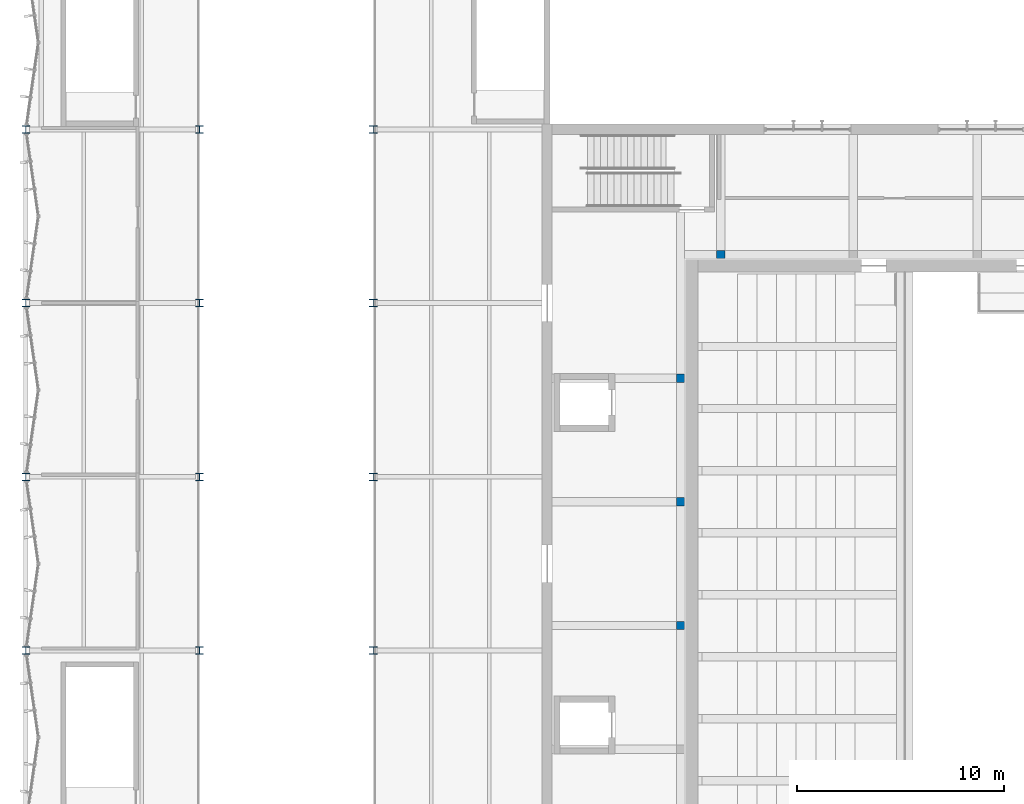
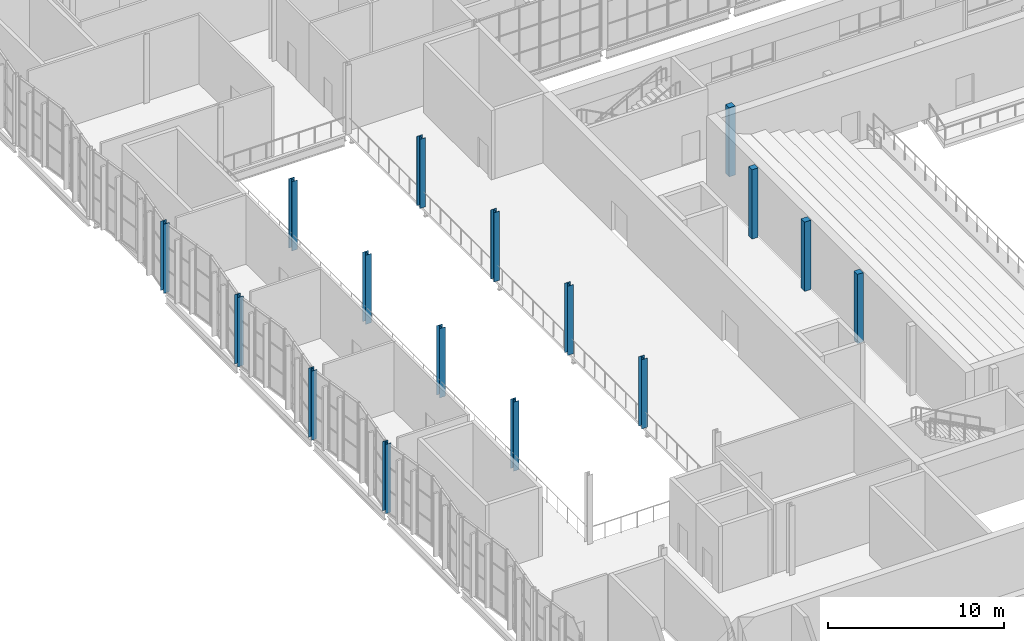
# One storey, part 7 of 116: 16 columns.
"""IFC4 building model written with IfcOpenShell, lengths in metres."""

from ifc_helpers import new_model, si_unit, direction, frame, origin, origin_2d, place, context, subcontext, project, spatial, rectangle, i_section, extrude, material, material_profile, profile_set, type_object, element, save


model = new_model("IFC4")

# Units and contexts
model_context = context("Model", 3, precision=1e-05, world=origin(), true_north=direction((0.0, 1.0)))
body_context = subcontext(model_context, "Body", "Model", "MODEL_VIEW")
ifc_project = project(units=[si_unit("LENGTHUNIT", "METRE"), si_unit("AREAUNIT", "SQUARE_METRE"), si_unit("VOLUMEUNIT", "CUBIC_METRE"), si_unit("PLANEANGLEUNIT", "RADIAN"), si_unit("MASSUNIT", "GRAM", prefix="KILO")], contexts=[model_context])

# Site, building, storey
site_placement = place(None, origin())
site = spatial("IfcSite", under=ifc_project, at=site_placement, CompositionType="ELEMENT")
building_placement = place(site_placement, origin())
building = spatial("IfcBuilding", under=site, at=building_placement, Name="Ljudholm Concert House", CompositionType="ELEMENT")
storey_placement = place(building_placement, frame((0.0, 0.0, 10.199951171875)))
storey = spatial("IfcBuildingStorey", under=building, at=storey_placement, Name="L02", CompositionType="ELEMENT", Elevation=10.199951171875)

# Columns
ifc_material_1 = material(Name="Concrete 6,500 psi", Category="concrete")
ifc_material_profile_1 = material_profile(ifc_material_1, rectangle(XDim=0.39990234375, YDim=0.39990234375, at=origin_2d()), Name="RC COLUMN 400x400")
ifc_profile_set_1 = profile_set([ifc_material_profile_1], Name="Concrete 6,500 psi")
column_type_1 = type_object("IfcColumnType", Name="RC COLUMN 400x400", PredefinedType="COLUMN", material=ifc_profile_set_1)
for number, where, z_axis, x_axis, name in (
    (1, (37.60009765625, 90.35009765625, 0.0), (0.0, 0.0, 1.0), (1.0, 0.0, 0.0), "Ring column"),
    (2, (35.64990234375, 72.409912109375, 0.0), (0.0, 0.0, 1.0), (1.0, 0.0, 0.0), "Ring column"),
    (3, (35.64990234375, 78.389892578125, 0.0), (0.0, 0.0, 1.0), (1.0, 0.0, 0.0), "Ring column"),
    (4, (35.64990234375, 84.3701171875, 0.0), (0.0, 0.0, 1.0), (1.0, 0.0, 0.0), "Ring column"),
):
    element("IfcColumn", number, at=place(storey_placement, frame(where, z_axis=z_axis, x_axis=x_axis)), inside=storey, type_object=column_type_1, Name=name, PredefinedType="COLUMN", context=body_context, shape_type="SweptSolid", body=[
        extrude(rectangle(XDim=0.39990234375, YDim=0.39990234375, at=origin_2d()), origin(), (0.0, 0.0, 1.0), 4.800048828125),
    ])
ifc_material_2 = material(Name="Steel ASTM A992", Category="steel")
ifc_material_profile_2 = material_profile(ifc_material_2, i_section(OverallWidth=0.368408203125, OverallDepth=0.355712890625, WebThickness=0.01123046875, FlangeThickness=0.01806640625, FilletRadius=0.01513671875, at=origin_2d()), Name="W14X90")
ifc_profile_set_2 = profile_set([ifc_material_profile_2], Name="Steel ASTM A992")
column_type_2 = type_object("IfcColumnType", Name="STEEL COLUMN W14X90", PredefinedType="COLUMN", material=ifc_profile_set_2)
for number, where, z_axis, x_axis, name in (
    (5, (4.0, 71.199951171875, 0.0), (0.0, 0.0, 1.0), (1.0, 0.0, 0.0), "Column W14X90"),
    (6, (4.0, 79.60009765625, 0.0), (0.0, 0.0, 1.0), (1.0, 0.0, 0.0), "Column W14X90"),
    (7, (4.0, 88.0, 0.0), (0.0, 0.0, 1.0), (1.0, 0.0, 0.0), "Column W14X90"),
    (8, (4.0, 96.39990234375, 0.0), (0.0, 0.0, 1.0), (1.0, 0.0, 0.0), "Column W14X90"),
    (9, (12.39990234375, 71.199951171875, 0.0), (0.0, 0.0, 1.0), (1.0, 0.0, 0.0), "Column W14X90"),
    (10, (12.39990234375, 79.60009765625, 0.0), (0.0, 0.0, 1.0), (1.0, 0.0, 0.0), "Column W14X90"),
    (11, (12.39990234375, 88.0, 0.0), (0.0, 0.0, 1.0), (1.0, 0.0, 0.0), "Column W14X90"),
    (12, (12.39990234375, 96.39990234375, 0.0), (0.0, 0.0, 1.0), (1.0, 0.0, 0.0), "Column W14X90"),
    (13, (20.800048828125, 71.199951171875, 0.0), (0.0, 0.0, 1.0), (1.0, 0.0, 0.0), "Column W14X90"),
    (14, (20.800048828125, 79.60009765625, 0.0), (0.0, 0.0, 1.0), (1.0, 0.0, 0.0), "Column W14X90"),
    (15, (20.800048828125, 88.0, 0.0), (0.0, 0.0, 1.0), (1.0, 0.0, 0.0), "Column W14X90"),
    (16, (20.800048828125, 96.39990234375, 0.0), (0.0, 0.0, 1.0), (1.0, 0.0, 0.0), "Column W14X90"),
):
    element("IfcColumn", number, at=place(storey_placement, frame(where, z_axis=z_axis, x_axis=x_axis)), inside=storey, type_object=column_type_2, Name=name, PredefinedType="COLUMN", context=body_context, shape_type="SweptSolid", body=[
        extrude(i_section(OverallWidth=0.368408203125, OverallDepth=0.355712890625, WebThickness=0.01123046875, FlangeThickness=0.01806640625, FilletRadius=0.01513671875, at=origin_2d()), origin(), (0.0, 0.0, 1.0), 4.800048828125),
    ])

save(model, "model.ifc")
